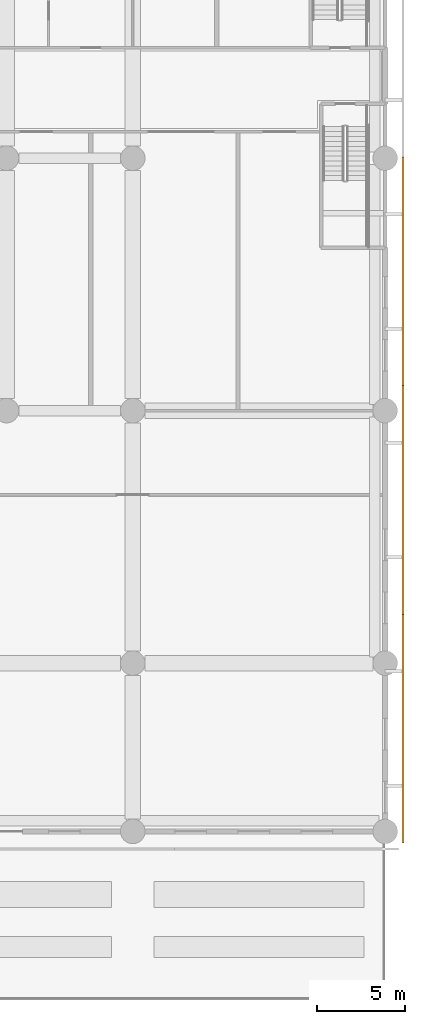
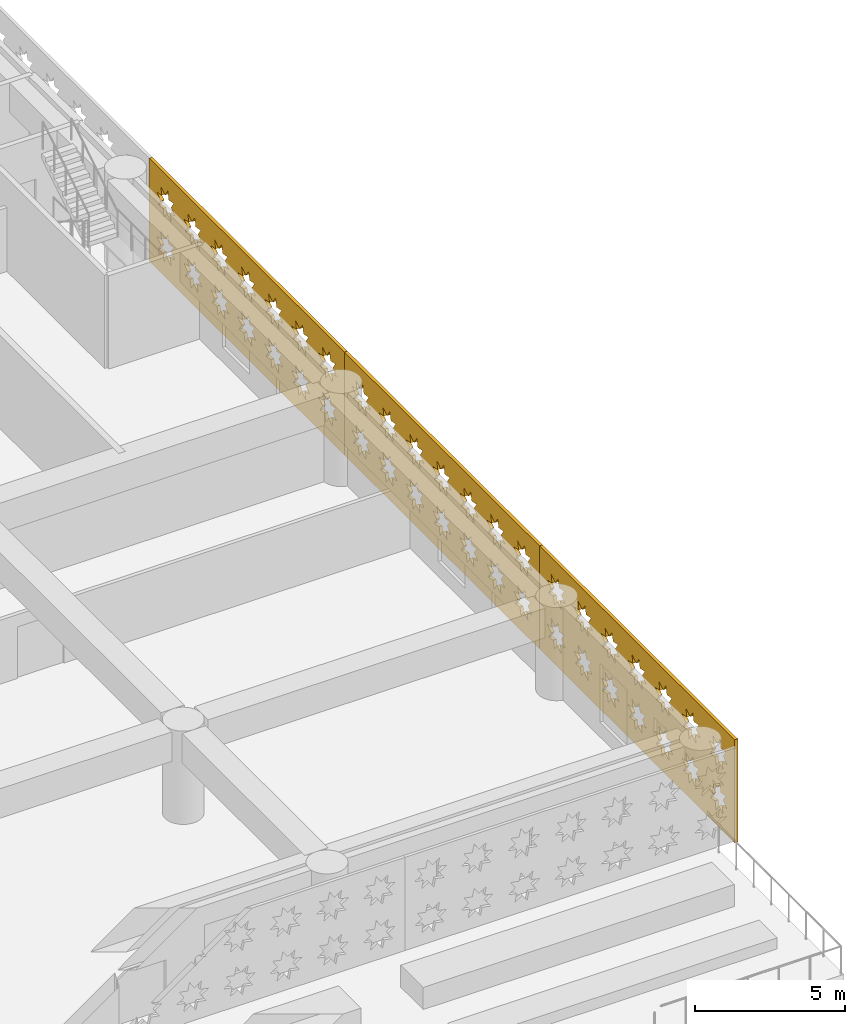
# One storey, part 17 of 24: 3 coverings.
"""IFC4 building model written with IfcOpenShell, lengths in metres."""

from ifc_helpers import new_model, si_unit, direction, frame, origin, place, context, subcontext, project, spatial, polyline, outline, extrude, material, layer, layer_set, type_object, element, save


model = new_model("IFC4")

# Units and contexts
model_context = context("Model", 3, precision=1e-05, world=origin(), true_north=direction((0.0, 1.0)))
body_context = subcontext(model_context, "Body", "Model", "MODEL_VIEW")
ifc_project = project(units=[si_unit("LENGTHUNIT", "METRE"), si_unit("AREAUNIT", "SQUARE_METRE"), si_unit("VOLUMEUNIT", "CUBIC_METRE"), si_unit("PLANEANGLEUNIT", "RADIAN"), si_unit("MASSUNIT", "GRAM", prefix="KILO")], contexts=[model_context])

# Site, building, storey
site_placement = place(None, origin())
site = spatial("IfcSite", under=ifc_project, at=site_placement, CompositionType="ELEMENT")
building_placement = place(site_placement, origin())
building = spatial("IfcBuilding", under=site, at=building_placement, Name="Saffron Iwan Residences", CompositionType="ELEMENT")
storey_placement = place(building_placement, frame((0.0, 0.0, 13.199951171875)))
storey = spatial("IfcBuildingStorey", under=building, at=storey_placement, Name="L02", CompositionType="ELEMENT", Elevation=13.199951171875)

# Coverings
ifc_material = material(Name="Terracotta screen, precast concrete C40/50", Category="masonry")
ifc_layer = layer(ifc_material, 0.1201171875)
ifc_layer_set = layer_set([ifc_layer], Name="Terracotta screen, precast concrete C40/50")
covering_type = type_object("IfcCoveringType", Name="PODIUM SCREEN GIRIH", PredefinedType="CLADDING", material=ifc_layer_set)
covering_1_placement = place(storey_placement, frame((101.75, 8.949951171875, -0.39990234375), z_axis=(1.0, 0.0, 0.0), x_axis=(0.0, 1.0, 0.0)))
element("IfcCovering", 1, at=covering_1_placement, inside=storey, type_object=covering_type, Name="SCREEN girih terracotta L02 F1.0", PredefinedType="CLADDING", context=body_context, shape_type="SweptSolid", body=[
    extrude(outline(polyline([(0.0, 0.0), (13.03662109375, 0.0), (13.03662109375, 4.199951171875), (0.0, 4.199951171875), (0.0, 0.0)]), holes=[polyline([(1.726318359375, 1.321044921875), (1.40087890625, 1.388916015625), (1.462890625, 1.715576171875), (1.184814453125, 1.533447265625), (0.997314453125, 1.80810546875), (0.929443359375, 1.482666015625), (0.602783203125, 1.54443359375), (0.784912109375, 1.266357421875), (0.51025390625, 1.0791015625), (0.835693359375, 1.010986328125), (0.77392578125, 0.6845703125), (1.052001953125, 0.866455078125), (1.2392578125, 0.591796875), (1.30712890625, 0.917236328125), (1.6337890625, 0.85546875), (1.451904296875, 1.1337890625), (1.726318359375, 1.321044921875)]), polyline([(1.726318359375, 3.12109375), (1.40087890625, 3.18896484375), (1.462890625, 3.515380859375), (1.184814453125, 3.33349609375), (0.997314453125, 3.608154296875), (0.929443359375, 3.28271484375), (0.602783203125, 3.344482421875), (0.784912109375, 3.06640625), (0.51025390625, 2.87890625), (0.835693359375, 2.81103515625), (0.77392578125, 2.484619140625), (1.052001953125, 2.66650390625), (1.2392578125, 2.391845703125), (1.30712890625, 2.71728515625), (1.6337890625, 2.655517578125), (1.451904296875, 2.93359375), (1.726318359375, 3.12109375)]), polyline([(3.5263671875, 1.321044921875), (3.200927734375, 1.388916015625), (3.2626953125, 1.715576171875), (2.984619140625, 1.533447265625), (2.79736328125, 1.80810546875), (2.7294921875, 1.482666015625), (2.40283203125, 1.54443359375), (2.5849609375, 1.266357421875), (2.310302734375, 1.0791015625), (2.635498046875, 1.010986328125), (2.573974609375, 0.6845703125), (2.85205078125, 0.866455078125), (3.039306640625, 0.591796875), (3.107177734375, 0.917236328125), (3.433837890625, 0.85546875), (3.251708984375, 1.1337890625), (3.5263671875, 1.321044921875)]), polyline([(3.5263671875, 3.12109375), (3.200927734375, 3.18896484375), (3.2626953125, 3.515380859375), (2.984619140625, 3.33349609375), (2.79736328125, 3.608154296875), (2.7294921875, 3.28271484375), (2.40283203125, 3.344482421875), (2.5849609375, 3.06640625), (2.310302734375, 2.87890625), (2.635498046875, 2.81103515625), (2.573974609375, 2.484619140625), (2.85205078125, 2.66650390625), (3.039306640625, 2.391845703125), (3.107177734375, 2.71728515625), (3.433837890625, 2.655517578125), (3.251708984375, 2.93359375), (3.5263671875, 3.12109375)]), polyline([(5.326416015625, 1.321044921875), (5.0009765625, 1.388916015625), (5.062744140625, 1.715576171875), (4.78466796875, 1.533447265625), (4.597412109375, 1.80810546875), (4.529296875, 1.482666015625), (4.202880859375, 1.54443359375), (4.385009765625, 1.266357421875), (4.110107421875, 1.0791015625), (4.435546875, 1.010986328125), (4.373779296875, 0.6845703125), (4.652099609375, 0.866455078125), (4.83935546875, 0.591796875), (4.9072265625, 0.917236328125), (5.23388671875, 0.85546875), (5.0517578125, 1.1337890625), (5.326416015625, 1.321044921875)]), polyline([(5.326416015625, 3.12109375), (5.0009765625, 3.18896484375), (5.062744140625, 3.515380859375), (4.78466796875, 3.33349609375), (4.597412109375, 3.608154296875), (4.529296875, 3.28271484375), (4.202880859375, 3.344482421875), (4.385009765625, 3.06640625), (4.110107421875, 2.87890625), (4.435546875, 2.81103515625), (4.373779296875, 2.484619140625), (4.652099609375, 2.66650390625), (4.83935546875, 2.391845703125), (4.9072265625, 2.71728515625), (5.23388671875, 2.655517578125), (5.0517578125, 2.93359375), (5.326416015625, 3.12109375)]), polyline([(7.12646484375, 1.321044921875), (6.801025390625, 1.388916015625), (6.86279296875, 1.715576171875), (6.584716796875, 1.533447265625), (6.3974609375, 1.80810546875), (6.329345703125, 1.482666015625), (6.002685546875, 1.54443359375), (6.184814453125, 1.266357421875), (5.91015625, 1.0791015625), (6.235595703125, 1.010986328125), (6.173828125, 0.6845703125), (6.451904296875, 0.866455078125), (6.639404296875, 0.591796875), (6.707275390625, 0.917236328125), (7.03369140625, 0.85546875), (6.851806640625, 1.1337890625), (7.12646484375, 1.321044921875)]), polyline([(7.12646484375, 3.12109375), (6.801025390625, 3.18896484375), (6.86279296875, 3.515380859375), (6.584716796875, 3.33349609375), (6.3974609375, 3.608154296875), (6.329345703125, 3.28271484375), (6.002685546875, 3.344482421875), (6.184814453125, 3.06640625), (5.91015625, 2.87890625), (6.235595703125, 2.81103515625), (6.173828125, 2.484619140625), (6.451904296875, 2.66650390625), (6.639404296875, 2.391845703125), (6.707275390625, 2.71728515625), (7.03369140625, 2.655517578125), (6.851806640625, 2.93359375), (7.12646484375, 3.12109375)]), polyline([(8.926513671875, 1.321044921875), (8.60107421875, 1.388916015625), (8.662841796875, 1.715576171875), (8.384765625, 1.533447265625), (8.197509765625, 1.80810546875), (8.12939453125, 1.482666015625), (7.802734375, 1.54443359375), (7.98486328125, 1.266357421875), (7.710205078125, 1.0791015625), (8.03564453125, 1.010986328125), (7.973876953125, 0.6845703125), (8.251953125, 0.866455078125), (8.439208984375, 0.591796875), (8.507080078125, 0.917236328125), (8.833740234375, 0.85546875), (8.65185546875, 1.1337890625), (8.926513671875, 1.321044921875)]), polyline([(8.926513671875, 3.12109375), (8.60107421875, 3.18896484375), (8.662841796875, 3.515380859375), (8.384765625, 3.33349609375), (8.197509765625, 3.608154296875), (8.12939453125, 3.28271484375), (7.802734375, 3.344482421875), (7.98486328125, 3.06640625), (7.710205078125, 2.87890625), (8.03564453125, 2.81103515625), (7.973876953125, 2.484619140625), (8.251953125, 2.66650390625), (8.439208984375, 2.391845703125), (8.507080078125, 2.71728515625), (8.833740234375, 2.655517578125), (8.65185546875, 2.93359375), (8.926513671875, 3.12109375)]), polyline([(10.726318359375, 1.321044921875), (10.40087890625, 1.388916015625), (10.462890625, 1.715576171875), (10.184814453125, 1.533447265625), (9.997314453125, 1.80810546875), (9.929443359375, 1.482666015625), (9.602783203125, 1.54443359375), (9.784912109375, 1.266357421875), (9.51025390625, 1.0791015625), (9.835693359375, 1.010986328125), (9.77392578125, 0.6845703125), (10.052001953125, 0.866455078125), (10.2392578125, 0.591796875), (10.30712890625, 0.917236328125), (10.6337890625, 0.85546875), (10.451904296875, 1.1337890625), (10.726318359375, 1.321044921875)]), polyline([(10.726318359375, 3.12109375), (10.40087890625, 3.18896484375), (10.462890625, 3.515380859375), (10.184814453125, 3.33349609375), (9.997314453125, 3.608154296875), (9.929443359375, 3.28271484375), (9.602783203125, 3.344482421875), (9.784912109375, 3.06640625), (9.51025390625, 2.87890625), (9.835693359375, 2.81103515625), (9.77392578125, 2.484619140625), (10.052001953125, 2.66650390625), (10.2392578125, 2.391845703125), (10.30712890625, 2.71728515625), (10.6337890625, 2.655517578125), (10.451904296875, 2.93359375), (10.726318359375, 3.12109375)]), polyline([(12.5263671875, 1.321044921875), (12.200927734375, 1.388916015625), (12.2626953125, 1.715576171875), (11.984619140625, 1.533447265625), (11.79736328125, 1.80810546875), (11.7294921875, 1.482666015625), (11.40283203125, 1.54443359375), (11.5849609375, 1.266357421875), (11.310302734375, 1.0791015625), (11.635498046875, 1.010986328125), (11.573974609375, 0.6845703125), (11.85205078125, 0.866455078125), (12.039306640625, 0.591796875), (12.107177734375, 0.917236328125), (12.433837890625, 0.85546875), (12.251708984375, 1.1337890625), (12.5263671875, 1.321044921875)]), polyline([(12.5263671875, 3.12109375), (12.200927734375, 3.18896484375), (12.2626953125, 3.515380859375), (11.984619140625, 3.33349609375), (11.79736328125, 3.608154296875), (11.7294921875, 3.28271484375), (11.40283203125, 3.344482421875), (11.5849609375, 3.06640625), (11.310302734375, 2.87890625), (11.635498046875, 2.81103515625), (11.573974609375, 2.484619140625), (11.85205078125, 2.66650390625), (12.039306640625, 2.391845703125), (12.107177734375, 2.71728515625), (12.433837890625, 2.655517578125), (12.251708984375, 2.93359375), (12.5263671875, 3.12109375)])]), origin(), (0.0, 0.0, 1.0), 0.1201171875),
])
covering_2_placement = place(storey_placement, frame((101.75, 21.98681640625, -0.39990234375), z_axis=(1.0, 0.0, 0.0), x_axis=(0.0, 1.0, 0.0)))
element("IfcCovering", 2, at=covering_2_placement, inside=storey, type_object=covering_type, Name="SCREEN girih terracotta L02 F1.1", PredefinedType="CLADDING", context=body_context, shape_type="SweptSolid", body=[
    extrude(outline(polyline([(0.0, 0.0), (13.03662109375, 0.0), (13.03662109375, 4.199951171875), (0.0, 4.199951171875), (0.0, 0.0)]), holes=[polyline([(1.726318359375, 1.321044921875), (1.40087890625, 1.388916015625), (1.462890625, 1.715576171875), (1.184814453125, 1.533447265625), (0.997314453125, 1.80810546875), (0.929443359375, 1.482666015625), (0.602783203125, 1.54443359375), (0.784912109375, 1.266357421875), (0.51025390625, 1.0791015625), (0.835693359375, 1.010986328125), (0.77392578125, 0.6845703125), (1.052001953125, 0.866455078125), (1.2392578125, 0.591796875), (1.30712890625, 0.917236328125), (1.6337890625, 0.85546875), (1.451904296875, 1.1337890625), (1.726318359375, 1.321044921875)]), polyline([(1.726318359375, 3.12109375), (1.40087890625, 3.18896484375), (1.462890625, 3.515380859375), (1.184814453125, 3.33349609375), (0.997314453125, 3.608154296875), (0.929443359375, 3.28271484375), (0.602783203125, 3.344482421875), (0.784912109375, 3.06640625), (0.51025390625, 2.87890625), (0.835693359375, 2.81103515625), (0.77392578125, 2.484619140625), (1.052001953125, 2.66650390625), (1.2392578125, 2.391845703125), (1.30712890625, 2.71728515625), (1.6337890625, 2.655517578125), (1.451904296875, 2.93359375), (1.726318359375, 3.12109375)]), polyline([(3.5263671875, 1.321044921875), (3.200927734375, 1.388916015625), (3.2626953125, 1.715576171875), (2.984619140625, 1.533447265625), (2.79736328125, 1.80810546875), (2.7294921875, 1.482666015625), (2.40283203125, 1.54443359375), (2.5849609375, 1.266357421875), (2.310302734375, 1.0791015625), (2.635498046875, 1.010986328125), (2.573974609375, 0.6845703125), (2.85205078125, 0.866455078125), (3.039306640625, 0.591796875), (3.107177734375, 0.917236328125), (3.433837890625, 0.85546875), (3.251708984375, 1.1337890625), (3.5263671875, 1.321044921875)]), polyline([(3.5263671875, 3.12109375), (3.200927734375, 3.18896484375), (3.2626953125, 3.515380859375), (2.984619140625, 3.33349609375), (2.79736328125, 3.608154296875), (2.7294921875, 3.28271484375), (2.40283203125, 3.344482421875), (2.5849609375, 3.06640625), (2.310302734375, 2.87890625), (2.635498046875, 2.81103515625), (2.573974609375, 2.484619140625), (2.85205078125, 2.66650390625), (3.039306640625, 2.391845703125), (3.107177734375, 2.71728515625), (3.433837890625, 2.655517578125), (3.251708984375, 2.93359375), (3.5263671875, 3.12109375)]), polyline([(5.326416015625, 1.321044921875), (5.0009765625, 1.388916015625), (5.062744140625, 1.715576171875), (4.78466796875, 1.533447265625), (4.597412109375, 1.80810546875), (4.529296875, 1.482666015625), (4.202880859375, 1.54443359375), (4.385009765625, 1.266357421875), (4.110107421875, 1.0791015625), (4.435546875, 1.010986328125), (4.373779296875, 0.6845703125), (4.652099609375, 0.866455078125), (4.83935546875, 0.591796875), (4.9072265625, 0.917236328125), (5.23388671875, 0.85546875), (5.0517578125, 1.1337890625), (5.326416015625, 1.321044921875)]), polyline([(5.326416015625, 3.12109375), (5.0009765625, 3.18896484375), (5.062744140625, 3.515380859375), (4.78466796875, 3.33349609375), (4.597412109375, 3.608154296875), (4.529296875, 3.28271484375), (4.202880859375, 3.344482421875), (4.385009765625, 3.06640625), (4.110107421875, 2.87890625), (4.435546875, 2.81103515625), (4.373779296875, 2.484619140625), (4.652099609375, 2.66650390625), (4.83935546875, 2.391845703125), (4.9072265625, 2.71728515625), (5.23388671875, 2.655517578125), (5.0517578125, 2.93359375), (5.326416015625, 3.12109375)]), polyline([(7.12646484375, 1.321044921875), (6.801025390625, 1.388916015625), (6.86279296875, 1.715576171875), (6.584716796875, 1.533447265625), (6.3974609375, 1.80810546875), (6.329345703125, 1.482666015625), (6.002685546875, 1.54443359375), (6.184814453125, 1.266357421875), (5.91015625, 1.0791015625), (6.235595703125, 1.010986328125), (6.173828125, 0.6845703125), (6.451904296875, 0.866455078125), (6.639404296875, 0.591796875), (6.707275390625, 0.917236328125), (7.03369140625, 0.85546875), (6.851806640625, 1.1337890625), (7.12646484375, 1.321044921875)]), polyline([(7.12646484375, 3.12109375), (6.801025390625, 3.18896484375), (6.86279296875, 3.515380859375), (6.584716796875, 3.33349609375), (6.3974609375, 3.608154296875), (6.329345703125, 3.28271484375), (6.002685546875, 3.344482421875), (6.184814453125, 3.06640625), (5.91015625, 2.87890625), (6.235595703125, 2.81103515625), (6.173828125, 2.484619140625), (6.451904296875, 2.66650390625), (6.639404296875, 2.391845703125), (6.707275390625, 2.71728515625), (7.03369140625, 2.655517578125), (6.851806640625, 2.93359375), (7.12646484375, 3.12109375)]), polyline([(8.926513671875, 1.321044921875), (8.60107421875, 1.388916015625), (8.662841796875, 1.715576171875), (8.384765625, 1.533447265625), (8.197509765625, 1.80810546875), (8.12939453125, 1.482666015625), (7.802734375, 1.54443359375), (7.98486328125, 1.266357421875), (7.710205078125, 1.0791015625), (8.03564453125, 1.010986328125), (7.973876953125, 0.6845703125), (8.251953125, 0.866455078125), (8.439208984375, 0.591796875), (8.507080078125, 0.917236328125), (8.833740234375, 0.85546875), (8.65185546875, 1.1337890625), (8.926513671875, 1.321044921875)]), polyline([(8.926513671875, 3.12109375), (8.60107421875, 3.18896484375), (8.662841796875, 3.515380859375), (8.384765625, 3.33349609375), (8.197509765625, 3.608154296875), (8.12939453125, 3.28271484375), (7.802734375, 3.344482421875), (7.98486328125, 3.06640625), (7.710205078125, 2.87890625), (8.03564453125, 2.81103515625), (7.973876953125, 2.484619140625), (8.251953125, 2.66650390625), (8.439208984375, 2.391845703125), (8.507080078125, 2.71728515625), (8.833740234375, 2.655517578125), (8.65185546875, 2.93359375), (8.926513671875, 3.12109375)]), polyline([(10.726318359375, 1.321044921875), (10.40087890625, 1.388916015625), (10.462890625, 1.715576171875), (10.184814453125, 1.533447265625), (9.997314453125, 1.80810546875), (9.929443359375, 1.482666015625), (9.602783203125, 1.54443359375), (9.784912109375, 1.266357421875), (9.51025390625, 1.0791015625), (9.835693359375, 1.010986328125), (9.77392578125, 0.6845703125), (10.052001953125, 0.866455078125), (10.2392578125, 0.591796875), (10.30712890625, 0.917236328125), (10.6337890625, 0.85546875), (10.451904296875, 1.1337890625), (10.726318359375, 1.321044921875)]), polyline([(10.726318359375, 3.12109375), (10.40087890625, 3.18896484375), (10.462890625, 3.515380859375), (10.184814453125, 3.33349609375), (9.997314453125, 3.608154296875), (9.929443359375, 3.28271484375), (9.602783203125, 3.344482421875), (9.784912109375, 3.06640625), (9.51025390625, 2.87890625), (9.835693359375, 2.81103515625), (9.77392578125, 2.484619140625), (10.052001953125, 2.66650390625), (10.2392578125, 2.391845703125), (10.30712890625, 2.71728515625), (10.6337890625, 2.655517578125), (10.451904296875, 2.93359375), (10.726318359375, 3.12109375)]), polyline([(12.5263671875, 1.321044921875), (12.200927734375, 1.388916015625), (12.2626953125, 1.715576171875), (11.984619140625, 1.533447265625), (11.79736328125, 1.80810546875), (11.7294921875, 1.482666015625), (11.40283203125, 1.54443359375), (11.5849609375, 1.266357421875), (11.310302734375, 1.0791015625), (11.635498046875, 1.010986328125), (11.573974609375, 0.6845703125), (11.85205078125, 0.866455078125), (12.039306640625, 0.591796875), (12.107177734375, 0.917236328125), (12.433837890625, 0.85546875), (12.251708984375, 1.1337890625), (12.5263671875, 1.321044921875)]), polyline([(12.5263671875, 3.12109375), (12.200927734375, 3.18896484375), (12.2626953125, 3.515380859375), (11.984619140625, 3.33349609375), (11.79736328125, 3.608154296875), (11.7294921875, 3.28271484375), (11.40283203125, 3.344482421875), (11.5849609375, 3.06640625), (11.310302734375, 2.87890625), (11.635498046875, 2.81103515625), (11.573974609375, 2.484619140625), (11.85205078125, 2.66650390625), (12.039306640625, 2.391845703125), (12.107177734375, 2.71728515625), (12.433837890625, 2.655517578125), (12.251708984375, 2.93359375), (12.5263671875, 3.12109375)])]), origin(), (0.0, 0.0, 1.0), 0.1201171875),
])
covering_3_placement = place(storey_placement, frame((101.75, 35.023193359375, -0.39990234375), z_axis=(1.0, 0.0, 0.0), x_axis=(0.0, 1.0, 0.0)))
element("IfcCovering", 3, at=covering_3_placement, inside=storey, type_object=covering_type, Name="SCREEN girih terracotta L02 F1.2", PredefinedType="CLADDING", context=body_context, shape_type="SweptSolid", body=[
    extrude(outline(polyline([(0.0, 0.0), (13.03662109375, 0.0), (13.03662109375, 4.199951171875), (0.0, 4.199951171875), (0.0, 0.0)]), holes=[polyline([(1.726318359375, 1.321044921875), (1.40087890625, 1.388916015625), (1.462890625, 1.715576171875), (1.184814453125, 1.533447265625), (0.997314453125, 1.80810546875), (0.929443359375, 1.482666015625), (0.602783203125, 1.54443359375), (0.784912109375, 1.266357421875), (0.51025390625, 1.0791015625), (0.835693359375, 1.010986328125), (0.77392578125, 0.6845703125), (1.052001953125, 0.866455078125), (1.2392578125, 0.591796875), (1.30712890625, 0.917236328125), (1.6337890625, 0.85546875), (1.451904296875, 1.1337890625), (1.726318359375, 1.321044921875)]), polyline([(1.726318359375, 3.12109375), (1.40087890625, 3.18896484375), (1.462890625, 3.515380859375), (1.184814453125, 3.33349609375), (0.997314453125, 3.608154296875), (0.929443359375, 3.28271484375), (0.602783203125, 3.344482421875), (0.784912109375, 3.06640625), (0.51025390625, 2.87890625), (0.835693359375, 2.81103515625), (0.77392578125, 2.484619140625), (1.052001953125, 2.66650390625), (1.2392578125, 2.391845703125), (1.30712890625, 2.71728515625), (1.6337890625, 2.655517578125), (1.451904296875, 2.93359375), (1.726318359375, 3.12109375)]), polyline([(3.5263671875, 1.321044921875), (3.200927734375, 1.388916015625), (3.2626953125, 1.715576171875), (2.984619140625, 1.533447265625), (2.79736328125, 1.80810546875), (2.7294921875, 1.482666015625), (2.40283203125, 1.54443359375), (2.5849609375, 1.266357421875), (2.310302734375, 1.0791015625), (2.635498046875, 1.010986328125), (2.573974609375, 0.6845703125), (2.85205078125, 0.866455078125), (3.039306640625, 0.591796875), (3.107177734375, 0.917236328125), (3.433837890625, 0.85546875), (3.251708984375, 1.1337890625), (3.5263671875, 1.321044921875)]), polyline([(3.5263671875, 3.12109375), (3.200927734375, 3.18896484375), (3.2626953125, 3.515380859375), (2.984619140625, 3.33349609375), (2.79736328125, 3.608154296875), (2.7294921875, 3.28271484375), (2.40283203125, 3.344482421875), (2.5849609375, 3.06640625), (2.310302734375, 2.87890625), (2.635498046875, 2.81103515625), (2.573974609375, 2.484619140625), (2.85205078125, 2.66650390625), (3.039306640625, 2.391845703125), (3.107177734375, 2.71728515625), (3.433837890625, 2.655517578125), (3.251708984375, 2.93359375), (3.5263671875, 3.12109375)]), polyline([(5.326416015625, 1.321044921875), (5.0009765625, 1.388916015625), (5.062744140625, 1.715576171875), (4.78466796875, 1.533447265625), (4.597412109375, 1.80810546875), (4.529296875, 1.482666015625), (4.202880859375, 1.54443359375), (4.385009765625, 1.266357421875), (4.110107421875, 1.0791015625), (4.435546875, 1.010986328125), (4.373779296875, 0.6845703125), (4.652099609375, 0.866455078125), (4.83935546875, 0.591796875), (4.9072265625, 0.917236328125), (5.23388671875, 0.85546875), (5.0517578125, 1.1337890625), (5.326416015625, 1.321044921875)]), polyline([(5.326416015625, 3.12109375), (5.0009765625, 3.18896484375), (5.062744140625, 3.515380859375), (4.78466796875, 3.33349609375), (4.597412109375, 3.608154296875), (4.529296875, 3.28271484375), (4.202880859375, 3.344482421875), (4.385009765625, 3.06640625), (4.110107421875, 2.87890625), (4.435546875, 2.81103515625), (4.373779296875, 2.484619140625), (4.652099609375, 2.66650390625), (4.83935546875, 2.391845703125), (4.9072265625, 2.71728515625), (5.23388671875, 2.655517578125), (5.0517578125, 2.93359375), (5.326416015625, 3.12109375)]), polyline([(7.12646484375, 1.321044921875), (6.801025390625, 1.388916015625), (6.86279296875, 1.715576171875), (6.584716796875, 1.533447265625), (6.3974609375, 1.80810546875), (6.329345703125, 1.482666015625), (6.002685546875, 1.54443359375), (6.184814453125, 1.266357421875), (5.91015625, 1.0791015625), (6.235595703125, 1.010986328125), (6.173828125, 0.6845703125), (6.451904296875, 0.866455078125), (6.639404296875, 0.591796875), (6.707275390625, 0.917236328125), (7.03369140625, 0.85546875), (6.851806640625, 1.1337890625), (7.12646484375, 1.321044921875)]), polyline([(7.12646484375, 3.12109375), (6.801025390625, 3.18896484375), (6.86279296875, 3.515380859375), (6.584716796875, 3.33349609375), (6.3974609375, 3.608154296875), (6.329345703125, 3.28271484375), (6.002685546875, 3.344482421875), (6.184814453125, 3.06640625), (5.91015625, 2.87890625), (6.235595703125, 2.81103515625), (6.173828125, 2.484619140625), (6.451904296875, 2.66650390625), (6.639404296875, 2.391845703125), (6.707275390625, 2.71728515625), (7.03369140625, 2.655517578125), (6.851806640625, 2.93359375), (7.12646484375, 3.12109375)]), polyline([(8.926513671875, 1.321044921875), (8.60107421875, 1.388916015625), (8.662841796875, 1.715576171875), (8.384765625, 1.533447265625), (8.197509765625, 1.80810546875), (8.12939453125, 1.482666015625), (7.802734375, 1.54443359375), (7.98486328125, 1.266357421875), (7.710205078125, 1.0791015625), (8.03564453125, 1.010986328125), (7.973876953125, 0.6845703125), (8.251953125, 0.866455078125), (8.439208984375, 0.591796875), (8.507080078125, 0.917236328125), (8.833740234375, 0.85546875), (8.65185546875, 1.1337890625), (8.926513671875, 1.321044921875)]), polyline([(8.926513671875, 3.12109375), (8.60107421875, 3.18896484375), (8.662841796875, 3.515380859375), (8.384765625, 3.33349609375), (8.197509765625, 3.608154296875), (8.12939453125, 3.28271484375), (7.802734375, 3.344482421875), (7.98486328125, 3.06640625), (7.710205078125, 2.87890625), (8.03564453125, 2.81103515625), (7.973876953125, 2.484619140625), (8.251953125, 2.66650390625), (8.439208984375, 2.391845703125), (8.507080078125, 2.71728515625), (8.833740234375, 2.655517578125), (8.65185546875, 2.93359375), (8.926513671875, 3.12109375)]), polyline([(10.726318359375, 1.321044921875), (10.40087890625, 1.388916015625), (10.462890625, 1.715576171875), (10.184814453125, 1.533447265625), (9.997314453125, 1.80810546875), (9.929443359375, 1.482666015625), (9.602783203125, 1.54443359375), (9.784912109375, 1.266357421875), (9.51025390625, 1.0791015625), (9.835693359375, 1.010986328125), (9.77392578125, 0.6845703125), (10.052001953125, 0.866455078125), (10.2392578125, 0.591796875), (10.30712890625, 0.917236328125), (10.6337890625, 0.85546875), (10.451904296875, 1.1337890625), (10.726318359375, 1.321044921875)]), polyline([(10.726318359375, 3.12109375), (10.40087890625, 3.18896484375), (10.462890625, 3.515380859375), (10.184814453125, 3.33349609375), (9.997314453125, 3.608154296875), (9.929443359375, 3.28271484375), (9.602783203125, 3.344482421875), (9.784912109375, 3.06640625), (9.51025390625, 2.87890625), (9.835693359375, 2.81103515625), (9.77392578125, 2.484619140625), (10.052001953125, 2.66650390625), (10.2392578125, 2.391845703125), (10.30712890625, 2.71728515625), (10.6337890625, 2.655517578125), (10.451904296875, 2.93359375), (10.726318359375, 3.12109375)]), polyline([(12.5263671875, 1.321044921875), (12.200927734375, 1.388916015625), (12.2626953125, 1.715576171875), (11.984619140625, 1.533447265625), (11.79736328125, 1.80810546875), (11.7294921875, 1.482666015625), (11.40283203125, 1.54443359375), (11.5849609375, 1.266357421875), (11.310302734375, 1.0791015625), (11.635498046875, 1.010986328125), (11.573974609375, 0.6845703125), (11.85205078125, 0.866455078125), (12.039306640625, 0.591796875), (12.107177734375, 0.917236328125), (12.433837890625, 0.85546875), (12.251708984375, 1.1337890625), (12.5263671875, 1.321044921875)]), polyline([(12.5263671875, 3.12109375), (12.200927734375, 3.18896484375), (12.2626953125, 3.515380859375), (11.984619140625, 3.33349609375), (11.79736328125, 3.608154296875), (11.7294921875, 3.28271484375), (11.40283203125, 3.344482421875), (11.5849609375, 3.06640625), (11.310302734375, 2.87890625), (11.635498046875, 2.81103515625), (11.573974609375, 2.484619140625), (11.85205078125, 2.66650390625), (12.039306640625, 2.391845703125), (12.107177734375, 2.71728515625), (12.433837890625, 2.655517578125), (12.251708984375, 2.93359375), (12.5263671875, 3.12109375)])]), origin(), (0.0, 0.0, 1.0), 0.1201171875),
])

save(model, "model.ifc")
